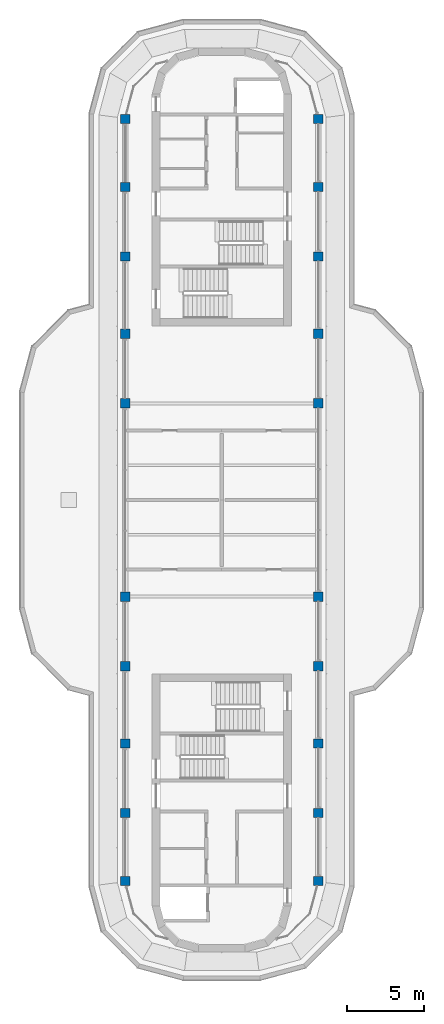
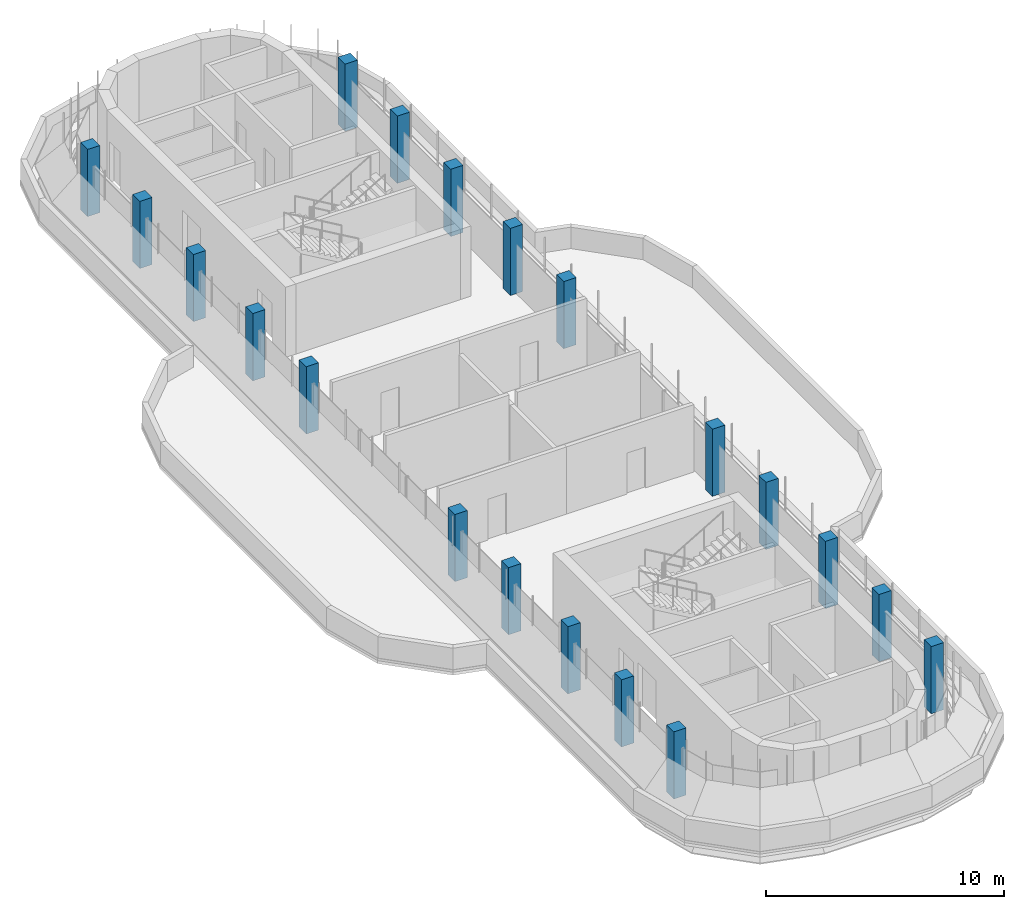
# One storey, part 1 of 12: 20 columns.
"""IFC4 building model written with IfcOpenShell, lengths in metres."""

from ifc_helpers import new_model, si_unit, direction, frame, origin, origin_2d, place, context, subcontext, project, spatial, rectangle, extrude, material, material_profile, profile_set, type_object, element, save


model = new_model("IFC4")

# Units and contexts
model_context = context("Model", 3, precision=1e-05, world=origin(), true_north=direction((0.0, 1.0)))
body_context = subcontext(model_context, "Body", "Model", "MODEL_VIEW")
ifc_project = project(units=[si_unit("LENGTHUNIT", "METRE"), si_unit("AREAUNIT", "SQUARE_METRE"), si_unit("VOLUMEUNIT", "CUBIC_METRE"), si_unit("PLANEANGLEUNIT", "RADIAN"), si_unit("MASSUNIT", "GRAM", prefix="KILO")], contexts=[model_context])

# Site, building, storey
site_placement = place(None, origin())
site = spatial("IfcSite", under=ifc_project, at=site_placement, CompositionType="ELEMENT")
building_placement = place(site_placement, origin())
building = spatial("IfcBuilding", under=site, at=building_placement, Name="Zarbagh Exchange Tower", CompositionType="ELEMENT")
storey_placement = place(building_placement, frame((0.0, 0.0, 306.0)))
storey = spatial("IfcBuildingStorey", under=building, at=storey_placement, Name="L75", CompositionType="ELEMENT", Elevation=306.0)

# Columns
ifc_material = material(Name="Concrete C40/50", Category="concrete")
ifc_material_profile = material_profile(ifc_material, rectangle(XDim=0.60009765625, YDim=0.60009765625, at=origin_2d()), Name="RC column 600 x 600 C40/50")
ifc_profile_set = profile_set([ifc_material_profile], Name="Concrete C40/50")
column_type = type_object("IfcColumnType", Name="RC column 600 x 600 C40/50", PredefinedType="COLUMN", material=ifc_profile_set)
for number, where, z_axis, x_axis, name in (
    (1, (-6.25, -24.64990234375, 0.0), (0.0, 0.0, 1.0), (1.0, 0.0, 0.0), "C6 16/M"),
    (2, (-6.25, -20.25, 0.0), (0.0, 0.0, 1.0), (1.0, 0.0, 0.0), "C6 16/N"),
    (3, (-6.25, -15.75, 0.0), (0.0, 0.0, 1.0), (1.0, 0.0, 0.0), "C6 16/P"),
    (4, (-6.25, -10.75, 0.0), (0.0, 0.0, 1.0), (1.0, 0.0, 0.0), "C6 16/Q"),
    (5, (-6.25, -6.25, 0.0), (0.0, 0.0, 1.0), (1.0, 0.0, 0.0), "C6 16/R"),
    (6, (-6.25, 6.25, 0.0), (0.0, 0.0, 1.0), (1.0, 0.0, 0.0), "C6 16/U"),
    (7, (-6.25, 10.75, 0.0), (0.0, 0.0, 1.0), (1.0, 0.0, 0.0), "C6 16/V"),
    (8, (-6.25, 15.75, 0.0), (0.0, 0.0, 1.0), (1.0, 0.0, 0.0), "C6 16/W"),
    (9, (-6.25, 20.25, 0.0), (0.0, 0.0, 1.0), (1.0, 0.0, 0.0), "C6 16/X"),
    (10, (-6.25, 24.64990234375, 0.0), (0.0, 0.0, 1.0), (1.0, 0.0, 0.0), "C6 16/Y"),
    (11, (6.25, -24.64990234375, 0.0), (0.0, 0.0, 1.0), (1.0, 0.0, 0.0), "C6 19/M"),
    (12, (6.25, -20.25, 0.0), (0.0, 0.0, 1.0), (1.0, 0.0, 0.0), "C6 19/N"),
    (13, (6.25, -15.75, 0.0), (0.0, 0.0, 1.0), (1.0, 0.0, 0.0), "C6 19/P"),
    (14, (6.25, -10.75, 0.0), (0.0, 0.0, 1.0), (1.0, 0.0, 0.0), "C6 19/Q"),
    (15, (6.25, -6.25, 0.0), (0.0, 0.0, 1.0), (1.0, 0.0, 0.0), "C6 19/R"),
    (16, (6.25, 6.25, 0.0), (0.0, 0.0, 1.0), (1.0, 0.0, 0.0), "C6 19/U"),
    (17, (6.25, 10.75, 0.0), (0.0, 0.0, 1.0), (1.0, 0.0, 0.0), "C6 19/V"),
    (18, (6.25, 15.75, 0.0), (0.0, 0.0, 1.0), (1.0, 0.0, 0.0), "C6 19/W"),
    (19, (6.25, 20.25, 0.0), (0.0, 0.0, 1.0), (1.0, 0.0, 0.0), "C6 19/X"),
    (20, (6.25, 24.64990234375, 0.0), (0.0, 0.0, 1.0), (1.0, 0.0, 0.0), "C6 19/Y"),
):
    element("IfcColumn", number, at=place(storey_placement, frame(where, z_axis=z_axis, x_axis=x_axis)), inside=storey, type_object=column_type, Name=name, PredefinedType="COLUMN", context=body_context, shape_type="SweptSolid", body=[
        extrude(rectangle(XDim=0.60009765625, YDim=0.60009765625, at=origin_2d()), origin(), (0.0, 0.0, 1.0), 3.449951171875),
    ])

save(model, "model.ifc")
